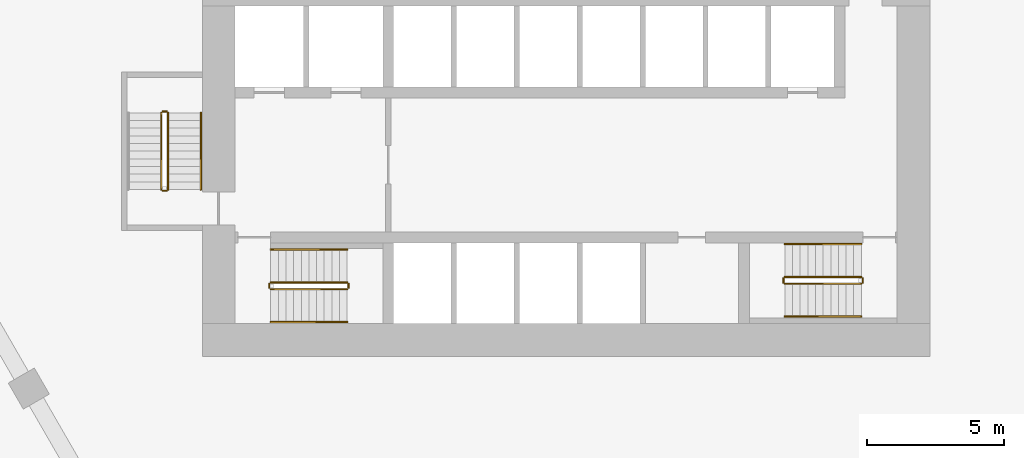
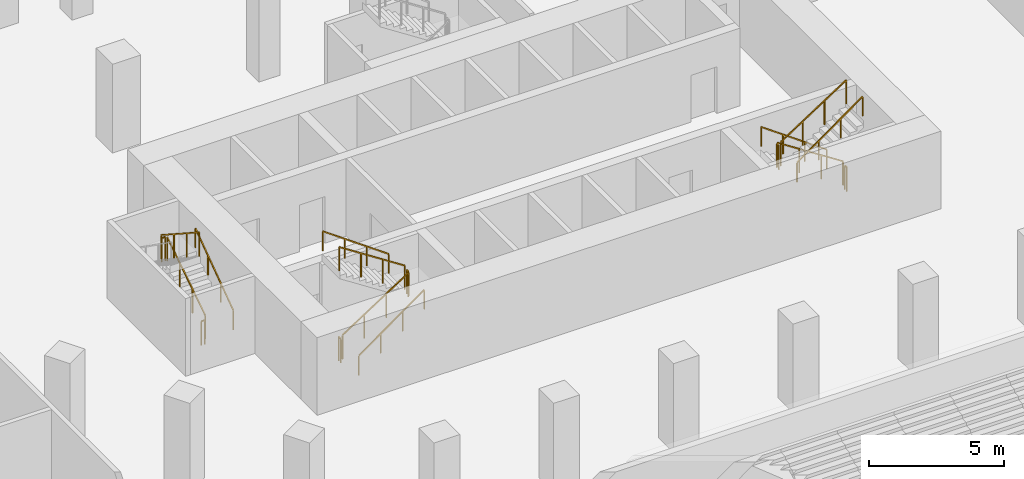
# One storey, part 40 of 45: 17 railings.
"""IFC4 building model written with IfcOpenShell, lengths in metres."""

from ifc_helpers import new_model, si_unit, direction, frame, origin, origin_2d, place, context, subcontext, project, spatial, rectangle, extrude, material, type_object, element, save


model = new_model("IFC4")

# Units and contexts
model_context = context("Model", 3, precision=1e-05, world=origin(), true_north=direction((0.0, 1.0)))
body_context = subcontext(model_context, "Body", "Model", "MODEL_VIEW")
ifc_project = project(units=[si_unit("LENGTHUNIT", "METRE"), si_unit("AREAUNIT", "SQUARE_METRE"), si_unit("VOLUMEUNIT", "CUBIC_METRE"), si_unit("PLANEANGLEUNIT", "RADIAN"), si_unit("MASSUNIT", "GRAM", prefix="KILO")], contexts=[model_context])

# Site, building, storey
site_placement = place(None, origin())
site = spatial("IfcSite", under=ifc_project, at=site_placement, CompositionType="ELEMENT")
building_placement = place(site_placement, origin())
building = spatial("IfcBuilding", under=site, at=building_placement, Name="Beryl Residences", CompositionType="ELEMENT")
storey_placement = place(building_placement, frame((0.0, 0.0, 5.0)))
storey = spatial("IfcBuildingStorey", under=building, at=storey_placement, Name="L01", CompositionType="ELEMENT", Elevation=5.0)

# Railings
ifc_material_1 = material(Name="Stainless steel balustrade with glass infill", Category="steel")
railing_type_1 = type_object("IfcRailingType", Name="SG1 stair guard 1100 mm", PredefinedType="GUARDRAIL", material=ifc_material_1)
railing_1_placement = place(storey_placement, frame((-10.800048828125, -16.550048828125, 0.181884765625)))
element("IfcRailing", 1, at=railing_1_placement, inside=storey, type_object=railing_type_1, Name="L01 ST-1 stair guard 1", PredefinedType="GUARDRAIL", context=body_context, shape_type="SweptSolid", body=[
    extrude(rectangle(XDim=0.048095703125, YDim=0.048095703125, at=origin_2d()), frame((0.0, 0.0, 1.076171875), z_axis=(0.838705829183, 0.0, 0.544584733623), x_axis=(0.0, 1.0, 0.0)), (0.0, 0.0, 1.0), 3.338623046875),
    extrude(rectangle(XDim=0.0419921875, YDim=0.0419921875, at=origin_2d()), origin(), (0.0, 0.0, 1.0), 1.052001953125),
    extrude(rectangle(XDim=0.0419921875, YDim=0.0419921875, at=origin_2d()), frame((0.933349609375, 0.0, 0.60595703125)), (0.0, 0.0, 1.0), 1.052001953125),
    extrude(rectangle(XDim=0.0419921875, YDim=0.0419921875, at=origin_2d()), frame((1.86669921875, 0.0, 1.212158203125)), (0.0, 0.0, 1.0), 1.052001953125),
    extrude(rectangle(XDim=0.0419921875, YDim=0.0419921875, at=origin_2d()), frame((2.800048828125, 0.0, 1.818115234375)), (0.0, 0.0, 1.0), 1.052001953125),
])
railing_2_placement = place(storey_placement, frame((-7.949951171875, -16.5, 2.0)))
element("IfcRailing", 2, at=railing_2_placement, inside=storey, type_object=railing_type_1, Name="L01 ST-1 stair guard 2", PredefinedType="GUARDRAIL", context=body_context, shape_type="SweptSolid", body=[
    extrude(rectangle(XDim=0.048095703125, YDim=0.048095703125, at=origin_2d()), frame((0.0, 0.0, 1.076171875), z_axis=(0.0, 1.0, 0.0), x_axis=(-1.0, 0.0, 0.0)), (0.0, 0.0, 1.0), 0.14990234375),
    extrude(rectangle(XDim=0.0419921875, YDim=0.0419921875, at=origin_2d()), origin(), (0.0, 0.0, 1.0), 1.052001953125),
    extrude(rectangle(XDim=0.0419921875, YDim=0.0419921875, at=origin_2d()), frame((0.0, 0.14990234375, 0.0)), (0.0, 0.0, 1.0), 1.052001953125),
])
railing_3_placement = place(storey_placement, frame((-8.0, -16.300048828125, 2.181884765625)))
element("IfcRailing", 3, at=railing_3_placement, inside=storey, type_object=railing_type_1, Name="L01 ST-1 stair guard 3", PredefinedType="GUARDRAIL", context=body_context, shape_type="SweptSolid", body=[
    extrude(rectangle(XDim=0.048095703125, YDim=0.048095703125, at=origin_2d()), frame((0.0, 0.0, 1.076171875), z_axis=(-0.838705829183, 0.0, 0.544584733623), x_axis=(0.0, -1.0, 0.0)), (0.0, 0.0, 1.0), 3.338623046875),
    extrude(rectangle(XDim=0.0419921875, YDim=0.0419921875, at=origin_2d()), origin(), (0.0, 0.0, 1.0), 1.052001953125),
    extrude(rectangle(XDim=0.0419921875, YDim=0.0419921875, at=origin_2d()), frame((-0.933349609375, 0.0, 0.60595703125)), (0.0, 0.0, 1.0), 1.052001953125),
    extrude(rectangle(XDim=0.0419921875, YDim=0.0419921875, at=origin_2d()), frame((-1.86669921875, 0.0, 1.212158203125)), (0.0, 0.0, 1.0), 1.052001953125),
    extrude(rectangle(XDim=0.0419921875, YDim=0.0419921875, at=origin_2d()), frame((-2.800048828125, 0.0, 1.818115234375)), (0.0, 0.0, 1.0), 1.052001953125),
])
railing_4_placement = place(storey_placement, frame((-10.85009765625, -16.5, 0.0)))
element("IfcRailing", 4, at=railing_4_placement, inside=storey, type_object=railing_type_1, Name="L01 ST-1 stair guard 4", PredefinedType="GUARDRAIL", context=body_context, shape_type="SweptSolid", body=[
    extrude(rectangle(XDim=0.048095703125, YDim=0.048095703125, at=origin_2d()), frame((0.0, 0.0, 1.076171875), z_axis=(0.0, 1.0, 0.0), x_axis=(-1.0, 0.0, 0.0)), (0.0, 0.0, 1.0), 0.14990234375),
    extrude(rectangle(XDim=0.0419921875, YDim=0.0419921875, at=origin_2d()), origin(), (0.0, 0.0, 1.0), 1.052001953125),
    extrude(rectangle(XDim=0.0419921875, YDim=0.0419921875, at=origin_2d()), frame((0.0, 0.14990234375, 0.0)), (0.0, 0.0, 1.0), 1.052001953125),
])
railing_5_placement = place(storey_placement, frame((-14.550048828125, -12.89990234375, 0.181884765625)))
element("IfcRailing", 5, at=railing_5_placement, inside=storey, type_object=railing_type_1, Name="L01 ST-2 stair guard 1", PredefinedType="GUARDRAIL", context=body_context, shape_type="SweptSolid", body=[
    extrude(rectangle(XDim=0.048095703125, YDim=0.048095703125, at=origin_2d()), frame((0.0, 0.0, 1.076171875), z_axis=(0.0, 0.83868413941, 0.544618136222), x_axis=(-1.0, 0.0, 0.0)), (0.0, 0.0, 1.0), 3.33837890625),
    extrude(rectangle(XDim=0.0419921875, YDim=0.0419921875, at=origin_2d()), origin(), (0.0, 0.0, 1.0), 1.052001953125),
    extrude(rectangle(XDim=0.0419921875, YDim=0.0419921875, at=origin_2d()), frame((0.0, 0.933349609375, 0.60595703125)), (0.0, 0.0, 1.0), 1.052001953125),
    extrude(rectangle(XDim=0.0419921875, YDim=0.0419921875, at=origin_2d()), frame((0.0, 1.866455078125, 1.212158203125)), (0.0, 0.0, 1.0), 1.052001953125),
    extrude(rectangle(XDim=0.0419921875, YDim=0.0419921875, at=origin_2d()), frame((0.0, 2.7998046875, 1.818115234375)), (0.0, 0.0, 1.0), 1.052001953125),
])
railing_6_placement = place(storey_placement, frame((-14.60009765625, -10.050048828125, 2.0)))
element("IfcRailing", 6, at=railing_6_placement, inside=storey, type_object=railing_type_1, Name="L01 ST-2 stair guard 2", PredefinedType="GUARDRAIL", context=body_context, shape_type="SweptSolid", body=[
    extrude(rectangle(XDim=0.048095703125, YDim=0.048095703125, at=origin_2d()), frame((0.0, 0.0, 1.076171875), z_axis=(-1.0, 0.0, 0.0), x_axis=(0.0, -1.0, 0.0)), (0.0, 0.0, 1.0), 0.14990234375),
    extrude(rectangle(XDim=0.0419921875, YDim=0.0419921875, at=origin_2d()), origin(), (0.0, 0.0, 1.0), 1.052001953125),
    extrude(rectangle(XDim=0.0419921875, YDim=0.0419921875, at=origin_2d()), frame((-0.14990234375, 0.0, 0.0)), (0.0, 0.0, 1.0), 1.052001953125),
])
railing_7_placement = place(storey_placement, frame((-14.800048828125, -10.10009765625, 2.181884765625)))
element("IfcRailing", 7, at=railing_7_placement, inside=storey, type_object=railing_type_1, Name="L01 ST-2 stair guard 3", PredefinedType="GUARDRAIL", context=body_context, shape_type="SweptSolid", body=[
    extrude(rectangle(XDim=0.048095703125, YDim=0.048095703125, at=origin_2d()), frame((0.0, 0.0, 1.076171875), z_axis=(0.0, -0.83868413941, 0.544618136222), x_axis=(1.0, 0.0, 0.0)), (0.0, 0.0, 1.0), 3.33837890625),
    extrude(rectangle(XDim=0.0419921875, YDim=0.0419921875, at=origin_2d()), origin(), (0.0, 0.0, 1.0), 1.052001953125),
    extrude(rectangle(XDim=0.0419921875, YDim=0.0419921875, at=origin_2d()), frame((0.0, -0.933349609375, 0.60595703125)), (0.0, 0.0, 1.0), 1.052001953125),
    extrude(rectangle(XDim=0.0419921875, YDim=0.0419921875, at=origin_2d()), frame((0.0, -1.866455078125, 1.212158203125)), (0.0, 0.0, 1.0), 1.052001953125),
    extrude(rectangle(XDim=0.0419921875, YDim=0.0419921875, at=origin_2d()), frame((0.0, -2.7998046875, 1.818115234375)), (0.0, 0.0, 1.0), 1.052001953125),
])
railing_8_placement = place(storey_placement, frame((-14.60009765625, -12.949951171875, 0.0)))
element("IfcRailing", 8, at=railing_8_placement, inside=storey, type_object=railing_type_1, Name="L01 ST-2 stair guard 4", PredefinedType="GUARDRAIL", context=body_context, shape_type="SweptSolid", body=[
    extrude(rectangle(XDim=0.048095703125, YDim=0.048095703125, at=origin_2d()), frame((0.0, 0.0, 1.076171875), z_axis=(-1.0, 0.0, 0.0), x_axis=(0.0, -1.0, 0.0)), (0.0, 0.0, 1.0), 0.14990234375),
    extrude(rectangle(XDim=0.0419921875, YDim=0.0419921875, at=origin_2d()), origin(), (0.0, 0.0, 1.0), 1.052001953125),
    extrude(rectangle(XDim=0.0419921875, YDim=0.0419921875, at=origin_2d()), frame((-0.14990234375, 0.0, 0.0)), (0.0, 0.0, 1.0), 1.052001953125),
])
railing_9_placement = place(storey_placement, frame((10.800048828125, -16.10009765625, 0.181884765625)))
element("IfcRailing", 9, at=railing_9_placement, inside=storey, type_object=railing_type_1, Name="L01 ST-3 stair guard 1", PredefinedType="GUARDRAIL", context=body_context, shape_type="SweptSolid", body=[
    extrude(rectangle(XDim=0.048095703125, YDim=0.048095703125, at=origin_2d()), frame((0.0, 0.0, 1.076171875), z_axis=(-0.838705829183, 0.0, 0.544584733623), x_axis=(0.0, -1.0, 0.0)), (0.0, 0.0, 1.0), 3.338623046875),
    extrude(rectangle(XDim=0.0419921875, YDim=0.0419921875, at=origin_2d()), origin(), (0.0, 0.0, 1.0), 1.052001953125),
    extrude(rectangle(XDim=0.0419921875, YDim=0.0419921875, at=origin_2d()), frame((-0.933349609375, 0.0, 0.60595703125)), (0.0, 0.0, 1.0), 1.052001953125),
    extrude(rectangle(XDim=0.0419921875, YDim=0.0419921875, at=origin_2d()), frame((-1.86669921875, 0.0, 1.212158203125)), (0.0, 0.0, 1.0), 1.052001953125),
    extrude(rectangle(XDim=0.0419921875, YDim=0.0419921875, at=origin_2d()), frame((-2.800048828125, 0.0, 1.818115234375)), (0.0, 0.0, 1.0), 1.052001953125),
])
railing_10_placement = place(storey_placement, frame((7.949951171875, -16.14990234375, 2.0)))
element("IfcRailing", 10, at=railing_10_placement, inside=storey, type_object=railing_type_1, Name="L01 ST-3 stair guard 2", PredefinedType="GUARDRAIL", context=body_context, shape_type="SweptSolid", body=[
    extrude(rectangle(XDim=0.048095703125, YDim=0.048095703125, at=origin_2d()), frame((0.0, 0.0, 1.076171875), z_axis=(0.0, -1.0, 0.0), x_axis=(1.0, 0.0, 0.0)), (0.0, 0.0, 1.0), 0.150146484375),
    extrude(rectangle(XDim=0.0419921875, YDim=0.0419921875, at=origin_2d()), origin(), (0.0, 0.0, 1.0), 1.052001953125),
    extrude(rectangle(XDim=0.0419921875, YDim=0.0419921875, at=origin_2d()), frame((0.0, -0.150146484375, 0.0)), (0.0, 0.0, 1.0), 1.052001953125),
])
railing_11_placement = place(storey_placement, frame((8.0, -16.35009765625, 2.181884765625)))
element("IfcRailing", 11, at=railing_11_placement, inside=storey, type_object=railing_type_1, Name="L01 ST-3 stair guard 3", PredefinedType="GUARDRAIL", context=body_context, shape_type="SweptSolid", body=[
    extrude(rectangle(XDim=0.048095703125, YDim=0.048095703125, at=origin_2d()), frame((0.0, 0.0, 1.076171875), z_axis=(0.838705829183, 0.0, 0.544584733623), x_axis=(0.0, 1.0, 0.0)), (0.0, 0.0, 1.0), 3.338623046875),
    extrude(rectangle(XDim=0.0419921875, YDim=0.0419921875, at=origin_2d()), origin(), (0.0, 0.0, 1.0), 1.052001953125),
    extrude(rectangle(XDim=0.0419921875, YDim=0.0419921875, at=origin_2d()), frame((0.933349609375, 0.0, 0.60595703125)), (0.0, 0.0, 1.0), 1.052001953125),
    extrude(rectangle(XDim=0.0419921875, YDim=0.0419921875, at=origin_2d()), frame((1.86669921875, 0.0, 1.212158203125)), (0.0, 0.0, 1.0), 1.052001953125),
    extrude(rectangle(XDim=0.0419921875, YDim=0.0419921875, at=origin_2d()), frame((2.800048828125, 0.0, 1.818115234375)), (0.0, 0.0, 1.0), 1.052001953125),
])
railing_12_placement = place(storey_placement, frame((10.85009765625, -16.14990234375, 0.0)))
element("IfcRailing", 12, at=railing_12_placement, inside=storey, type_object=railing_type_1, Name="L01 ST-3 stair guard 4", PredefinedType="GUARDRAIL", context=body_context, shape_type="SweptSolid", body=[
    extrude(rectangle(XDim=0.048095703125, YDim=0.048095703125, at=origin_2d()), frame((0.0, 0.0, 1.076171875), z_axis=(0.0, -1.0, 0.0), x_axis=(1.0, 0.0, 0.0)), (0.0, 0.0, 1.0), 0.150146484375),
    extrude(rectangle(XDim=0.0419921875, YDim=0.0419921875, at=origin_2d()), origin(), (0.0, 0.0, 1.0), 1.052001953125),
    extrude(rectangle(XDim=0.0419921875, YDim=0.0419921875, at=origin_2d()), frame((0.0, -0.150146484375, 0.0)), (0.0, 0.0, 1.0), 1.052001953125),
])
ifc_material_2 = material(Name="Stainless steel handrail", Category="steel")
railing_type_2 = type_object("IfcRailingType", Name="SRL1 stair handrail 900 mm", PredefinedType="HANDRAIL", material=ifc_material_2)
railing_13_placement = place(storey_placement, frame((-10.800048828125, -17.75, 0.181884765625)))
element("IfcRailing", 13, at=railing_13_placement, inside=storey, type_object=railing_type_2, Name="L01 ST-1 stair handrail 1", PredefinedType="HANDRAIL", context=body_context, shape_type="SweptSolid", body=[
    extrude(rectangle(XDim=0.048095703125, YDim=0.048095703125, at=origin_2d()), frame((0.0, 0.0, 0.8759765625), z_axis=(0.813738265173, 0.0, 0.581231482108), x_axis=(0.0, 1.0, 0.0)), (0.0, 0.0, 1.0), 3.44091796875),
    extrude(rectangle(XDim=0.0419921875, YDim=0.0419921875, at=origin_2d()), origin(), (0.0, 0.0, 1.0), 0.851806640625),
    extrude(rectangle(XDim=0.0419921875, YDim=0.0419921875, at=origin_2d()), frame((0.933349609375, 0.0, 0.666748046875)), (0.0, 0.0, 1.0), 0.851806640625),
    extrude(rectangle(XDim=0.0419921875, YDim=0.0419921875, at=origin_2d()), frame((1.86669921875, 0.0, 1.333251953125)), (0.0, 0.0, 1.0), 0.851806640625),
    extrude(rectangle(XDim=0.0419921875, YDim=0.0419921875, at=origin_2d()), frame((2.800048828125, 0.0, 2.0)), (0.0, 0.0, 1.0), 0.851806640625),
])
railing_14_placement = place(storey_placement, frame((-8.0, -15.10009765625, 2.181884765625)))
element("IfcRailing", 14, at=railing_14_placement, inside=storey, type_object=railing_type_2, Name="L01 ST-1 stair handrail 2", PredefinedType="HANDRAIL", context=body_context, shape_type="SweptSolid", body=[
    extrude(rectangle(XDim=0.048095703125, YDim=0.048095703125, at=origin_2d()), frame((0.0, 0.0, 0.8759765625), z_axis=(-0.813738265173, 0.0, 0.581231482108), x_axis=(0.0, -1.0, 0.0)), (0.0, 0.0, 1.0), 3.44091796875),
    extrude(rectangle(XDim=0.0419921875, YDim=0.0419921875, at=origin_2d()), origin(), (0.0, 0.0, 1.0), 0.851806640625),
    extrude(rectangle(XDim=0.0419921875, YDim=0.0419921875, at=origin_2d()), frame((-0.933349609375, 0.0, 0.666748046875)), (0.0, 0.0, 1.0), 0.851806640625),
    extrude(rectangle(XDim=0.0419921875, YDim=0.0419921875, at=origin_2d()), frame((-1.86669921875, 0.0, 1.333251953125)), (0.0, 0.0, 1.0), 0.851806640625),
    extrude(rectangle(XDim=0.0419921875, YDim=0.0419921875, at=origin_2d()), frame((-2.800048828125, 0.0, 2.0)), (0.0, 0.0, 1.0), 0.851806640625),
])
railing_15_placement = place(storey_placement, frame((-13.35009765625, -12.89990234375, 0.181884765625)))
element("IfcRailing", 15, at=railing_15_placement, inside=storey, type_object=railing_type_2, Name="L01 ST-2 stair handrail 1", PredefinedType="HANDRAIL", context=body_context, shape_type="SweptSolid", body=[
    extrude(rectangle(XDim=0.048095703125, YDim=0.048095703125, at=origin_2d()), frame((0.0, 0.0, 0.8759765625), z_axis=(0.0, 0.813714293681, 0.581265041318), x_axis=(-1.0, 0.0, 0.0)), (0.0, 0.0, 1.0), 3.440673828125),
    extrude(rectangle(XDim=0.0419921875, YDim=0.0419921875, at=origin_2d()), origin(), (0.0, 0.0, 1.0), 0.851806640625),
    extrude(rectangle(XDim=0.0419921875, YDim=0.0419921875, at=origin_2d()), frame((0.0, 0.933349609375, 0.666748046875)), (0.0, 0.0, 1.0), 0.851806640625),
    extrude(rectangle(XDim=0.0419921875, YDim=0.0419921875, at=origin_2d()), frame((0.0, 1.866455078125, 1.333251953125)), (0.0, 0.0, 1.0), 0.851806640625),
    extrude(rectangle(XDim=0.0419921875, YDim=0.0419921875, at=origin_2d()), frame((0.0, 2.7998046875, 2.0)), (0.0, 0.0, 1.0), 0.851806640625),
])
railing_16_placement = place(storey_placement, frame((10.800048828125, -14.89990234375, 0.181884765625)))
element("IfcRailing", 16, at=railing_16_placement, inside=storey, type_object=railing_type_2, Name="L01 ST-3 stair handrail 1", PredefinedType="HANDRAIL", context=body_context, shape_type="SweptSolid", body=[
    extrude(rectangle(XDim=0.048095703125, YDim=0.048095703125, at=origin_2d()), frame((0.0, 0.0, 0.8759765625), z_axis=(-0.813738265173, 0.0, 0.581231482108), x_axis=(0.0, -1.0, 0.0)), (0.0, 0.0, 1.0), 3.44091796875),
    extrude(rectangle(XDim=0.0419921875, YDim=0.0419921875, at=origin_2d()), origin(), (0.0, 0.0, 1.0), 0.851806640625),
    extrude(rectangle(XDim=0.0419921875, YDim=0.0419921875, at=origin_2d()), frame((-0.933349609375, 0.0, 0.666748046875)), (0.0, 0.0, 1.0), 0.851806640625),
    extrude(rectangle(XDim=0.0419921875, YDim=0.0419921875, at=origin_2d()), frame((-1.86669921875, 0.0, 1.333251953125)), (0.0, 0.0, 1.0), 0.851806640625),
    extrude(rectangle(XDim=0.0419921875, YDim=0.0419921875, at=origin_2d()), frame((-2.800048828125, 0.0, 2.0)), (0.0, 0.0, 1.0), 0.851806640625),
])
railing_17_placement = place(storey_placement, frame((8.0, -17.550048828125, 2.181884765625)))
element("IfcRailing", 17, at=railing_17_placement, inside=storey, type_object=railing_type_2, Name="L01 ST-3 stair handrail 2", PredefinedType="HANDRAIL", context=body_context, shape_type="SweptSolid", body=[
    extrude(rectangle(XDim=0.048095703125, YDim=0.048095703125, at=origin_2d()), frame((0.0, 0.0, 0.8759765625), z_axis=(0.813738265173, 0.0, 0.581231482108), x_axis=(0.0, 1.0, 0.0)), (0.0, 0.0, 1.0), 3.44091796875),
    extrude(rectangle(XDim=0.0419921875, YDim=0.0419921875, at=origin_2d()), origin(), (0.0, 0.0, 1.0), 0.851806640625),
    extrude(rectangle(XDim=0.0419921875, YDim=0.0419921875, at=origin_2d()), frame((0.933349609375, 0.0, 0.666748046875)), (0.0, 0.0, 1.0), 0.851806640625),
    extrude(rectangle(XDim=0.0419921875, YDim=0.0419921875, at=origin_2d()), frame((1.86669921875, 0.0, 1.333251953125)), (0.0, 0.0, 1.0), 0.851806640625),
    extrude(rectangle(XDim=0.0419921875, YDim=0.0419921875, at=origin_2d()), frame((2.800048828125, 0.0, 2.0)), (0.0, 0.0, 1.0), 0.851806640625),
])

save(model, "model.ifc")
